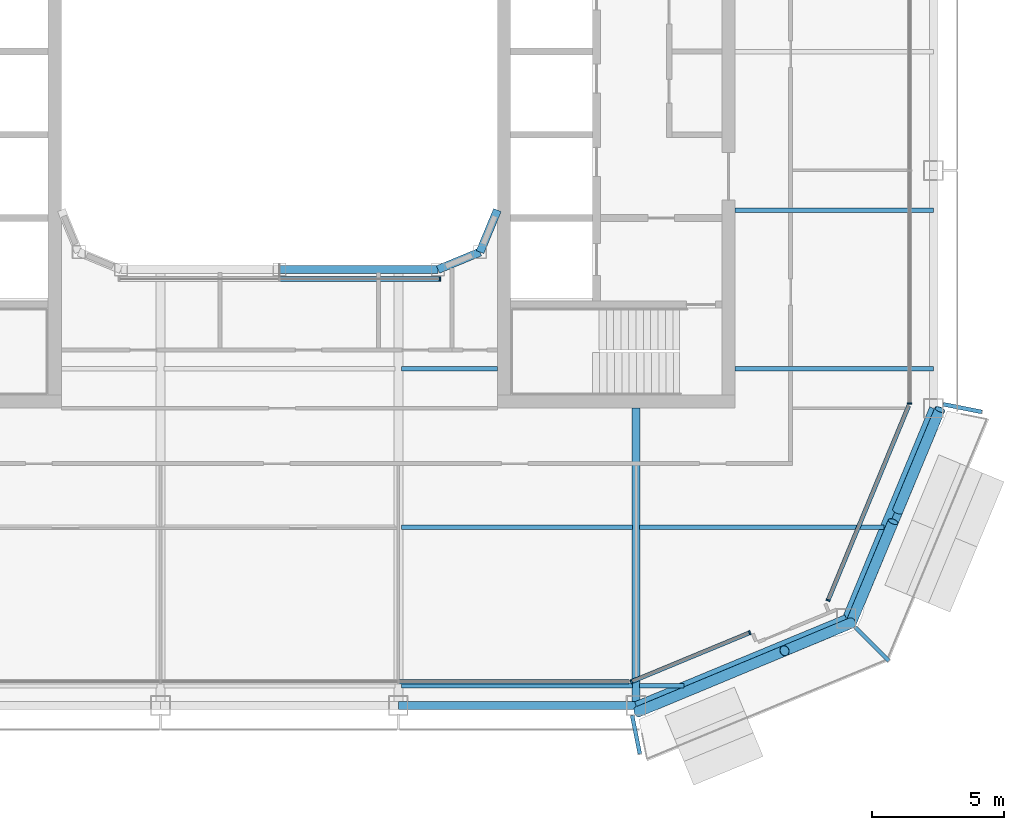
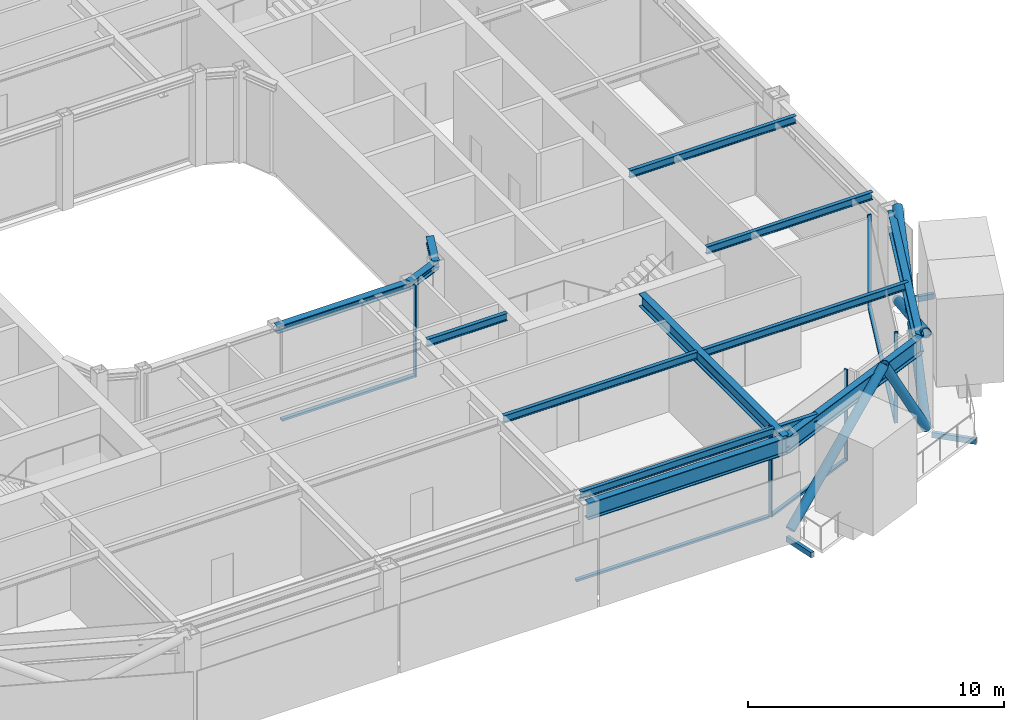
# One storey, part 4 of 21: 17 beams, 14 members, 5 elements without a shape of their own.
"""IFC4 building model written with IfcOpenShell, lengths in metres."""

from ifc_helpers import new_model, si_unit, direction, frame, origin, origin_2d, place, context, subcontext, project, spatial, rectangle, hollow_rectangle, hollow_circle, i_section, extrude, material, layer, layer_set, material_profile, profile_set, type_object, element, aggregate, save


model = new_model("IFC4")

# Units and contexts
model_context = context("Model", 3, precision=1e-05, world=origin(), true_north=direction((0.0, 1.0)))
body_context = subcontext(model_context, "Body", "Model", "MODEL_VIEW")
ifc_project = project(units=[si_unit("LENGTHUNIT", "METRE"), si_unit("AREAUNIT", "SQUARE_METRE"), si_unit("VOLUMEUNIT", "CUBIC_METRE"), si_unit("PLANEANGLEUNIT", "RADIAN"), si_unit("MASSUNIT", "GRAM", prefix="KILO")], contexts=[model_context])

# Site, building, storey
site_placement = place(None, origin())
site = spatial("IfcSite", under=ifc_project, at=site_placement, CompositionType="ELEMENT")
building_placement = place(site_placement, origin())
building = spatial("IfcBuilding", under=site, at=building_placement, Name="Siwar Civic Tower", CompositionType="ELEMENT")
storey_placement = place(building_placement, frame((0.0, 0.0, 303.199951171875)))
storey = spatial("IfcBuildingStorey", under=building, at=storey_placement, Name="L65", CompositionType="ELEMENT", Elevation=303.199951171875)

# Beams
ifc_material_1 = material(Name="Steel S355", Category="steel")
ifc_material_profile_1 = material_profile(ifc_material_1, hollow_rectangle(XDim=0.14990234375, YDim=0.25, WallThickness=0.010009765625, at=origin_2d()), Name="RHS250x150x10")
ifc_profile_set_1 = profile_set([ifc_material_profile_1], Name="Steel S355")
beam_type_1 = type_object("IfcBeamType", Name="ENV-BALCONY ARM", PredefinedType="BEAM", material=ifc_profile_set_1)
beam_1_placement = place(storey_placement, frame((13.350341796875, -25.125, -0.27490234375), z_axis=(0.195012073712, -0.980800841714, 0.0), x_axis=(0.980800841714, 0.195012073712, 0.0)))
element("IfcBeam", 1, at=beam_1_placement, inside=storey, type_object=beam_type_1, Name="Balcony cantilever beam SE 1", PredefinedType="BEAM", context=body_context, shape_type="SweptSolid", body=[
    extrude(hollow_rectangle(XDim=0.14990234375, YDim=0.25, WallThickness=0.010009765625, at=origin_2d()), origin(), (0.0, 0.0, 1.0), 1.488525390625),
])
beam_2_placement = place(storey_placement, frame((21.794677734375, -21.794677734375, -0.27490234375), z_axis=(0.707106781187, -0.707106781187, 0.0), x_axis=(0.707106781187, 0.707106781187, 0.0)))
element("IfcBeam", 2, at=beam_2_placement, inside=storey, type_object=beam_type_1, Name="Balcony cantilever beam SE 2", PredefinedType="BEAM", context=body_context, shape_type="SweptSolid", body=[
    extrude(hollow_rectangle(XDim=0.14990234375, YDim=0.25, WallThickness=0.010009765625, at=origin_2d()), origin(), (0.0, 0.0, 1.0), 1.792724609375),
])
beam_3_placement = place(storey_placement, frame((25.125, -13.350341796875, -0.27490234375), z_axis=(0.980800841714, -0.195012073712, 0.0), x_axis=(0.195012073712, 0.980800841714, 0.0)))
element("IfcBeam", 3, at=beam_3_placement, inside=storey, type_object=beam_type_1, Name="Balcony cantilever beam SE 3", PredefinedType="BEAM", context=body_context, shape_type="SweptSolid", body=[
    extrude(hollow_rectangle(XDim=0.14990234375, YDim=0.25, WallThickness=0.010009765625, at=origin_2d()), origin(), (0.0, 0.0, 1.0), 1.488525390625),
])

# Curtain wall, members
ifc_material_2 = material(Name="Aluminium clad insulated panel", Category="aluminium")
ifc_layer_1 = layer(ifc_material_2, 0.159912109375)
ifc_layer_set_1 = layer_set([ifc_layer_1], Name="Aluminium clad insulated panel")
curtain_wall_type_1 = type_object("IfcCurtainWallType", Name="ENV-CW-DX", PredefinedType="NOTDEFINED", material=ifc_layer_set_1)
curtain_wall_1_placement = place(storey_placement, origin())
curtain_wall_1 = element("IfcCurtainWall", 4, at=curtain_wall_1_placement, inside=storey, type_object=curtain_wall_type_1, Name="Curtain wall D SE1", PredefinedType="NOTDEFINED")
ifc_material_3 = material(Name="Aluminium 6063-T6", Category="aluminium")
ifc_material_profile_2 = material_profile(ifc_material_3, rectangle(XDim=0.159912109375, YDim=0.06005859375, at=origin_2d()), Name="AL 160x60")
ifc_profile_set_2 = profile_set([ifc_material_profile_2], Name="Aluminium 6063-T6")
member_type_1 = type_object("IfcMemberType", Name="ENV-MULLION-D", PredefinedType="MULLION", material=ifc_profile_set_2)
member_1_placement = place(storey_placement, frame((13.321044921875, -23.85009765625, 0.0), z_axis=(0.0, 0.0, 1.0), x_axis=(-0.382683432365, 0.923879532511, 0.0)))
member_1 = element("IfcMember", 5, at=member_1_placement, type_object=member_type_1, Name="Mullion D SE1 1", PredefinedType="MULLION", context=body_context, shape_type="SweptSolid", body=[
    extrude(rectangle(XDim=0.159912109375, YDim=0.06005859375, at=origin_2d()), origin(), (0.0, 0.0, 1.0), 4.35009765625),
])
member_2_placement = place(storey_placement, frame((17.799072265625, -21.9951171875, 0.0), z_axis=(0.0, 0.0, 1.0), x_axis=(-0.382683432365, 0.923879532511, 0.0)))
member_2 = element("IfcMember", 6, at=member_2_placement, type_object=member_type_1, Name="Mullion D SE1 2", PredefinedType="MULLION", context=body_context, shape_type="SweptSolid", body=[
    extrude(rectangle(XDim=0.159912109375, YDim=0.06005859375, at=origin_2d()), origin(), (0.0, 0.0, 1.0), 4.35009765625),
])

# Curtain wall, member
curtain_wall_2_placement = place(storey_placement, origin())
curtain_wall_2 = element("IfcCurtainWall", 7, at=curtain_wall_2_placement, inside=storey, type_object=curtain_wall_type_1, Name="Curtain wall D SE2", PredefinedType="NOTDEFINED")
member_3_placement = place(storey_placement, frame((20.76611328125, -20.76611328125, 0.0), z_axis=(0.0, 0.0, 1.0), x_axis=(-0.923879532511, 0.382683432365, 0.0)))
member_3 = element("IfcMember", 8, at=member_3_placement, type_object=member_type_1, Name="Mullion D SE2 1", PredefinedType="MULLION", context=body_context, shape_type="SweptSolid", body=[
    extrude(rectangle(XDim=0.159912109375, YDim=0.06005859375, at=origin_2d()), origin(), (0.0, 0.0, 1.0), 4.35009765625),
])

ifc_material_4 = material(Name="Aluminium and glass", Category="aluminium")
ifc_layer_2 = layer(ifc_material_4, 0.159912109375)
ifc_layer_set_2 = layer_set([ifc_layer_2], Name="Aluminium and glass")
curtain_wall_type_2 = type_object("IfcCurtainWallType", Name="ENV-CW-D", PredefinedType="NOTDEFINED", material=ifc_layer_set_2)
curtain_wall_3_placement = place(storey_placement, origin())
curtain_wall_3 = element("IfcCurtainWall", 9, at=curtain_wall_3_placement, inside=storey, type_object=curtain_wall_type_2, Name="Curtain wall D E", PredefinedType="NOTDEFINED")
member_4_placement = place(storey_placement, frame((23.85009765625, -13.321044921875, 0.0), z_axis=(0.0, 0.0, 1.0), x_axis=(-1.0, 0.0, 0.0)))
member_4 = element("IfcMember", 10, at=member_4_placement, type_object=member_type_1, Name="Mullion D E 1", PredefinedType="MULLION", context=body_context, shape_type="SweptSolid", body=[
    extrude(rectangle(XDim=0.159912109375, YDim=0.06005859375, at=origin_2d()), origin(), (0.0, 0.0, 1.0), 4.35009765625),
])
aggregate(curtain_wall_3, [member_4])

ifc_material_5 = material(Name="Aluminium and glass", Category="aluminium")
ifc_layer_3 = layer(ifc_material_5, 0.179931640625)
ifc_layer_set_3 = layer_set([ifc_layer_3], Name="Aluminium and glass")
curtain_wall_type_3 = type_object("IfcCurtainWallType", Name="ENV-CW-W", PredefinedType="NOTDEFINED", material=ifc_layer_set_3)
curtain_wall_4_placement = place(storey_placement, origin())
curtain_wall_4 = element("IfcCurtainWall", 11, at=curtain_wall_4_placement, inside=storey, type_object=curtain_wall_type_3, Name="Curtain wall W WS", PredefinedType="NOTDEFINED")
ifc_material_6 = material(Name="Aluminium 6063-T6", Category="aluminium")
ifc_material_profile_3 = material_profile(ifc_material_6, rectangle(XDim=0.179931640625, YDim=0.06005859375, at=origin_2d()), Name="AL 180x60")
ifc_profile_set_3 = profile_set([ifc_material_profile_3], Name="Aluminium 6063-T6")
member_type_2 = type_object("IfcMemberType", Name="ENV-MULLION-W", PredefinedType="MULLION", material=ifc_profile_set_3)
member_5_placement = place(storey_placement, frame((6.071533203125, -8.610107421875, 0.0), z_axis=(0.0, 0.0, 1.0), x_axis=(0.0, 1.0, 0.0)))
member_5 = element("IfcMember", 12, at=member_5_placement, type_object=member_type_2, Name="Mullion W WS 3", PredefinedType="MULLION", context=body_context, shape_type="SweptSolid", body=[
    extrude(rectangle(XDim=0.179931640625, YDim=0.06005859375, at=origin_2d()), origin(), (0.0, 0.0, 1.0), 4.35009765625),
])

curtain_wall_5_placement = place(storey_placement, origin())
curtain_wall_5 = element("IfcCurtainWall", 13, at=curtain_wall_5_placement, inside=storey, type_object=curtain_wall_type_2, Name="Curtain wall D S", PredefinedType="NOTDEFINED")
ifc_material_7 = material(Name="Aluminium 6063-T6", Category="aluminium")
ifc_material_profile_4 = material_profile(ifc_material_7, rectangle(XDim=0.159912109375, YDim=0.10009765625, at=origin_2d()), Name="AL 160x100")
ifc_profile_set_4 = profile_set([ifc_material_profile_4], Name="Aluminium 6063-T6")
member_type_3 = type_object("IfcMemberType", Name="ENV-TRANSOM-D", PredefinedType="USERDEFINED", material=ifc_profile_set_4)
member_6_placement = place(storey_placement, frame((4.530029296875, -23.85009765625, 0.050048828125), z_axis=(1.0, 0.0, 0.0), x_axis=(0.0, 1.0, 0.0)))
member_6 = element("IfcMember", 14, at=member_6_placement, type_object=member_type_3, Name="Transom D S 3", ObjectType="TRANSOM", PredefinedType="USERDEFINED", context=body_context, shape_type="SweptSolid", body=[
    extrude(rectangle(XDim=0.159912109375, YDim=0.10009765625, at=origin_2d()), origin(), (0.0, 0.0, 1.0), 8.693115234375),
])
aggregate(curtain_wall_5, [member_6])

# Member
member_7_placement = place(storey_placement, frame((13.3486328125, -23.838623046875, 0.050048828125), z_axis=(0.923877601363, 0.382688094537, 0.0), x_axis=(-0.382688094537, 0.923877601363, 0.0)))
member_7 = element("IfcMember", 15, at=member_7_placement, type_object=member_type_3, Name="Transom D SE1 1", ObjectType="TRANSOM", PredefinedType="USERDEFINED", context=body_context, shape_type="SweptSolid", body=[
    extrude(rectangle(XDim=0.159912109375, YDim=0.10009765625, at=origin_2d()), origin(), (0.0, 0.0, 1.0), 4.787353515625),
])

aggregate(curtain_wall_1, [member_1, member_2, member_7])

member_8_placement = place(storey_placement, frame((20.777587890625, -20.738525390625, 0.050048828125), z_axis=(0.382673515031, 0.923883640343, 0.0), x_axis=(-0.923883640343, 0.382673515031, 0.0)))
member_8 = element("IfcMember", 16, at=member_8_placement, type_object=member_type_3, Name="Transom D SE2 1", ObjectType="TRANSOM", PredefinedType="USERDEFINED", context=body_context, shape_type="SweptSolid", body=[
    extrude(rectangle(XDim=0.159912109375, YDim=0.10009765625, at=origin_2d()), origin(), (0.0, 0.0, 1.0), 7.930908203125),
])

aggregate(curtain_wall_2, [member_3, member_8])

ifc_material_8 = material(Name="Aluminium 6063-T6", Category="aluminium")
ifc_material_profile_5 = material_profile(ifc_material_8, rectangle(XDim=0.179931640625, YDim=0.10009765625, at=origin_2d()), Name="AL 180x100")
ifc_profile_set_5 = profile_set([ifc_material_profile_5], Name="Aluminium 6063-T6")
member_type_4 = type_object("IfcMemberType", Name="ENV-TRANSOM-W", PredefinedType="USERDEFINED", material=ifc_profile_set_5)
member_9_placement = place(storey_placement, frame((0.030029296875, -8.610107421875, 0.050048828125), z_axis=(1.0, 0.0, 0.0), x_axis=(0.0, 1.0, 0.0)))
member_9 = element("IfcMember", 17, at=member_9_placement, type_object=member_type_4, Name="Transom W WS 2", ObjectType="TRANSOM", PredefinedType="USERDEFINED", context=body_context, shape_type="SweptSolid", body=[
    extrude(rectangle(XDim=0.179931640625, YDim=0.10009765625, at=origin_2d()), origin(), (0.0, 0.0, 1.0), 6.011474609375),
])

aggregate(curtain_wall_4, [member_5, member_9])

# Members
ifc_material_9 = material(Name="Steel S355", Category="steel")
ifc_material_profile_6 = material_profile(ifc_material_9, hollow_circle(Radius=0.203125, WallThickness=0.01611328125, at=origin_2d()), Name="CHS406.4x16")
ifc_profile_set_6 = profile_set([ifc_material_profile_6], Name="Steel S355")
member_type_5 = type_object("IfcMemberType", Name="STR-BR-CHS406.4x16", PredefinedType="BRACE", material=ifc_profile_set_6)
member_10_placement = place(storey_placement, frame((24.9951171875, -13.548828125, 0.0), z_axis=(-0.341671493852, -0.821142553604, 0.457149315816), x_axis=(0.923264922524, -0.384163874976, 0.0)))
element("IfcMember", 18, at=member_10_placement, inside=storey, type_object=member_type_5, Name="L65/brc/DSE1-4-0-1", PredefinedType="BRACE", context=body_context, shape_type="SweptSolid", body=[
    extrude(hollow_circle(Radius=0.203125, WallThickness=0.01611328125, at=origin_2d()), origin(), (0.0, 0.0, 1.0), 9.843505859375),
])
member_11_placement = place(storey_placement, frame((21.6318359375, -21.6318359375, 0.0), z_axis=(0.341644380467, 0.821147096886, 0.457161418507), x_axis=(-0.923276488787, 0.38413607648, 0.0)))
element("IfcMember", 19, at=member_11_placement, inside=storey, type_object=member_type_5, Name="L65/brc/DSE1-4-0-2", PredefinedType="BRACE", context=body_context, shape_type="SweptSolid", body=[
    extrude(hollow_circle(Radius=0.203125, WallThickness=0.01611328125, at=origin_2d()), origin(), (0.0, 0.0, 1.0), 4.677001953125),
])
member_12_placement = place(storey_placement, frame((23.397216796875, -17.38916015625, 2.362060546875), z_axis=(0.341667178655, 0.821149689876, 0.457139722456), x_axis=(-0.923267827529, 0.384156893273, 0.0)))
element("IfcMember", 20, at=member_12_placement, inside=storey, type_object=member_type_5, Name="L65/brc/DSE1-4-0-3", PredefinedType="BRACE", context=body_context, shape_type="SweptSolid", body=[
    extrude(hollow_circle(Radius=0.203125, WallThickness=0.01611328125, at=origin_2d()), origin(), (0.0, 0.0, 1.0), 4.6767578125),
])
member_13_placement = place(storey_placement, frame((13.548828125, -24.9951171875, 0.0), z_axis=(0.739973158344, 0.307903068035, 0.598026275029), x_axis=(-0.384169803352, 0.923262455747, 0.0)))
element("IfcMember", 21, at=member_13_placement, inside=storey, type_object=member_type_5, Name="L65/brc/DSE1-4-0-0", PredefinedType="BRACE", context=body_context, shape_type="SweptSolid", body=[
    extrude(hollow_circle(Radius=0.203125, WallThickness=0.01611328125, at=origin_2d()), origin(), (0.0, 0.0, 1.0), 7.524658203125),
])
member_14_placement = place(storey_placement, frame((21.6318359375, -21.6318359375, 0.0), z_axis=(-0.478099094869, -0.198925611165, 0.855482236349), x_axis=(0.384150749045, -0.92327038402, 0.0)))
element("IfcMember", 22, at=member_14_placement, inside=storey, type_object=member_type_5, Name="L65/brc/DSE1-4-0-6", PredefinedType="BRACE", context=body_context, shape_type="SweptSolid", body=[
    extrude(hollow_circle(Radius=0.203125, WallThickness=0.01611328125, at=origin_2d()), origin(), (0.0, 0.0, 1.0), 5.26025390625),
])

# Beams
ifc_material_10 = material(Name="Steel S355", Category="steel")
ifc_material_profile_7 = material_profile(ifc_material_10, i_section(OverallWidth=0.169921875, OverallDepth=0.360107421875, WebThickness=0.008056640625, FlangeThickness=0.0126953125, FilletRadius=0.01806640625, at=origin_2d()), Name="IPE360")
ifc_profile_set_7 = profile_set([ifc_material_profile_7], Name="Steel S355")
beam_type_2 = type_object("IfcBeamType", Name="STR-FB-IPE360", PredefinedType="JOIST", material=ifc_profile_set_7)
beam_4_placement = place(storey_placement, frame((4.6298828125, -24.0, 4.170166015625), z_axis=(1.0, 0.0, 0.0), x_axis=(0.0, 1.0, 0.0)))
element("IfcBeam", 23, at=beam_4_placement, inside=storey, type_object=beam_type_2, Name="L65/bm/F004", PredefinedType="JOIST", context=body_context, shape_type="SweptSolid", body=[
    extrude(i_section(OverallWidth=0.169921875, OverallDepth=0.360107421875, WebThickness=0.008056640625, FlangeThickness=0.0126953125, FilletRadius=0.01806640625, at=origin_2d()), origin(), (0.0, 0.0, 1.0), 8.740234375),
])
beam_5_placement = place(storey_placement, frame((13.6298828125, -24.0, 4.170166015625), z_axis=(1.0, 0.0, 0.0), x_axis=(0.0, 1.0, 0.0)))
element("IfcBeam", 24, at=beam_5_placement, inside=storey, type_object=beam_type_2, Name="L65/bm/F005", PredefinedType="JOIST", context=body_context, shape_type="SweptSolid", body=[
    extrude(i_section(OverallWidth=0.169921875, OverallDepth=0.360107421875, WebThickness=0.008056640625, FlangeThickness=0.0126953125, FilletRadius=0.01806640625, at=origin_2d()), origin(), (0.0, 0.0, 1.0), 1.6806640625),
])
beam_6_placement = place(storey_placement, frame((4.6298828125, -18.0, 4.170166015625), z_axis=(1.0, 0.0, 0.0), x_axis=(0.0, 1.0, 0.0)))
element("IfcBeam", 25, at=beam_6_placement, inside=storey, type_object=beam_type_2, Name="L65/bm/F009", PredefinedType="JOIST", context=body_context, shape_type="SweptSolid", body=[
    extrude(i_section(OverallWidth=0.169921875, OverallDepth=0.360107421875, WebThickness=0.008056640625, FlangeThickness=0.0126953125, FilletRadius=0.01806640625, at=origin_2d()), origin(), (0.0, 0.0, 1.0), 8.740234375),
])
beam_7_placement = place(storey_placement, frame((13.6298828125, -18.0, 4.170166015625), z_axis=(1.0, 0.0, 0.0), x_axis=(0.0, 1.0, 0.0)))
element("IfcBeam", 26, at=beam_7_placement, inside=storey, type_object=beam_type_2, Name="L65/bm/F010", PredefinedType="JOIST", context=body_context, shape_type="SweptSolid", body=[
    extrude(i_section(OverallWidth=0.169921875, OverallDepth=0.360107421875, WebThickness=0.008056640625, FlangeThickness=0.0126953125, FilletRadius=0.01806640625, at=origin_2d()), origin(), (0.0, 0.0, 1.0), 9.256103515625),
])
beam_8_placement = place(storey_placement, frame((4.6298828125, -12.0, 4.170166015625), z_axis=(1.0, 0.0, 0.0), x_axis=(0.0, 1.0, 0.0)))
element("IfcBeam", 27, at=beam_8_placement, inside=storey, type_object=beam_type_2, Name="L65/bm/F014", PredefinedType="JOIST", context=body_context, shape_type="SweptSolid", body=[
    extrude(i_section(OverallWidth=0.169921875, OverallDepth=0.360107421875, WebThickness=0.008056640625, FlangeThickness=0.0126953125, FilletRadius=0.01806640625, at=origin_2d()), origin(), (0.0, 0.0, 1.0), 3.6201171875),
])
for number, where, z_axis, x_axis, name in (
    (28, (17.25, -12.0, 4.170166015625), (1.0, 0.0, 0.0), (0.0, 1.0, 0.0), "L65/bm/F015"),
    (29, (17.25, -6.0, 4.170166015625), (1.0, 0.0, 0.0), (0.0, 1.0, 0.0), "L65/bm/F017"),
):
    element("IfcBeam", number, at=place(storey_placement, frame(where, z_axis=z_axis, x_axis=x_axis)), inside=storey, type_object=beam_type_2, Name=name, PredefinedType="JOIST", context=body_context, shape_type="SweptSolid", body=[
        extrude(i_section(OverallWidth=0.169921875, OverallDepth=0.360107421875, WebThickness=0.008056640625, FlangeThickness=0.0126953125, FilletRadius=0.01806640625, at=origin_2d()), origin(), (0.0, 0.0, 1.0), 7.5),
    ])
ifc_material_11 = material(Name="Steel S355", Category="steel")
ifc_material_profile_8 = material_profile(ifc_material_11, i_section(OverallWidth=0.300048828125, OverallDepth=0.60009765625, WebThickness=0.015380859375, FlangeThickness=0.030029296875, FilletRadius=0.027099609375, at=origin_2d()), Name="HEB600")
ifc_profile_set_8 = profile_set([ifc_material_profile_8], Name="Steel S355")
beam_type_3 = type_object("IfcBeamType", Name="STR-PG-HEB600", PredefinedType="BEAM", material=ifc_profile_set_8)
beam_9_placement = place(storey_placement, frame((13.5, -24.75, 4.050048828125), z_axis=(0.0, 1.0, 0.0), x_axis=(-1.0, 0.0, 0.0)))
element("IfcBeam", 30, at=beam_9_placement, inside=storey, type_object=beam_type_3, Name="L65/bm/G07", PredefinedType="BEAM", context=body_context, shape_type="SweptSolid", body=[
    extrude(i_section(OverallWidth=0.300048828125, OverallDepth=0.60009765625, WebThickness=0.015380859375, FlangeThickness=0.030029296875, FilletRadius=0.027099609375, at=origin_2d()), origin(), (0.0, 0.0, 1.0), 11.25),
])
ifc_material_12 = material(Name="Steel S355", Category="steel")
ifc_material_profile_9 = material_profile(ifc_material_12, i_section(OverallWidth=0.31005859375, OverallDepth=0.340087890625, WebThickness=0.02099609375, FlangeThickness=0.0390625, FilletRadius=0.027099609375, at=origin_2d()), Name="HEM300")
ifc_profile_set_9 = profile_set([ifc_material_profile_9], Name="Steel S355")
beam_type_4 = type_object("IfcBeamType", Name="STR-RB-HEM300", PredefinedType="BEAM", material=ifc_profile_set_9)
beam_10_placement = place(storey_placement, frame((0.0, -8.25, 4.179931640625), z_axis=(1.0, 0.0, 0.0), x_axis=(0.0, 1.0, 0.0)))
element("IfcBeam", 31, at=beam_10_placement, inside=storey, type_object=beam_type_4, Name="L65/bm/RS2", PredefinedType="BEAM", context=body_context, shape_type="SweptSolid", body=[
    extrude(i_section(OverallWidth=0.31005859375, OverallDepth=0.340087890625, WebThickness=0.02099609375, FlangeThickness=0.0390625, FilletRadius=0.027099609375, at=origin_2d()), origin(), (0.0, 0.0, 1.0), 6.0),
])
for number, where, z_axis, x_axis, name in (
    (32, (6.0, -8.25, 4.179931640625), (0.923901072997, 0.382631424892, 0.0), (-0.382631424892, 0.923901072997, 0.0), "L65/bm/RS3"),
    (33, (7.591064453125, -7.591064453125, 4.179931640625), (0.382631424892, 0.923901072997, 0.0), (-0.923901072997, 0.382631424892, 0.0), "L65/bm/RSEE"),
):
    element("IfcBeam", number, at=place(storey_placement, frame(where, z_axis=z_axis, x_axis=x_axis)), inside=storey, type_object=beam_type_4, Name=name, PredefinedType="BEAM", context=body_context, shape_type="SweptSolid", body=[
        extrude(i_section(OverallWidth=0.31005859375, OverallDepth=0.340087890625, WebThickness=0.02099609375, FlangeThickness=0.0390625, FilletRadius=0.027099609375, at=origin_2d()), origin(), (0.0, 0.0, 1.0), 1.72216796875),
    ])
ifc_material_13 = material(Name="Steel S355", Category="steel")
ifc_material_profile_10 = material_profile(ifc_material_13, i_section(OverallWidth=0.300048828125, OverallDepth=0.800048828125, WebThickness=0.017578125, FlangeThickness=0.032958984375, FilletRadius=0.030029296875, at=origin_2d()), Name="HEB800")
ifc_profile_set_10 = profile_set([ifc_material_profile_10], Name="Steel S355")
beam_type_5 = type_object("IfcBeamType", Name="STR-SB-HEB800", PredefinedType="BEAM", material=ifc_profile_set_10)
beam_11_placement = place(storey_placement, frame((4.5, -24.75, 3.949951171875), z_axis=(1.0, 0.0, 0.0), x_axis=(0.0, 1.0, 0.0)))
element("IfcBeam", 34, at=beam_11_placement, inside=storey, type_object=beam_type_5, Name="L65/bm/SS-2", PredefinedType="BEAM", context=body_context, shape_type="SweptSolid", body=[
    extrude(i_section(OverallWidth=0.300048828125, OverallDepth=0.800048828125, WebThickness=0.017578125, FlangeThickness=0.032958984375, FilletRadius=0.030029296875, at=origin_2d()), origin(), (0.0, 0.0, 1.0), 9.0),
])
for number, where, z_axis, x_axis, name in (
    (35, (13.5, -24.75, 3.949951171875), (0.923872720536, 0.382699877515, 0.0), (-0.382699877515, 0.923872720536, 0.0), "L65/bm/SSE1-0"),
    (36, (21.454833984375, -21.454833984375, 3.949951171875), (0.382699877515, 0.923872720536, 0.0), (-0.923872720536, 0.382699877515, 0.0), "L65/bm/SSE2-0"),
):
    element("IfcBeam", number, at=place(storey_placement, frame(where, z_axis=z_axis, x_axis=x_axis)), inside=storey, type_object=beam_type_5, Name=name, PredefinedType="BEAM", context=body_context, shape_type="SweptSolid", body=[
        extrude(i_section(OverallWidth=0.300048828125, OverallDepth=0.800048828125, WebThickness=0.017578125, FlangeThickness=0.032958984375, FilletRadius=0.030029296875, at=origin_2d()), origin(), (0.0, 0.0, 1.0), 8.6103515625),
    ])

save(model, "model.ifc")
